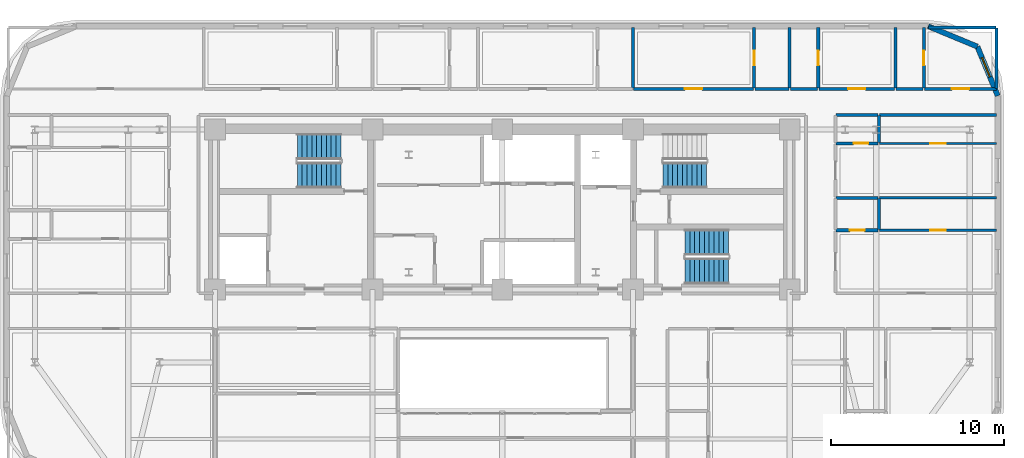
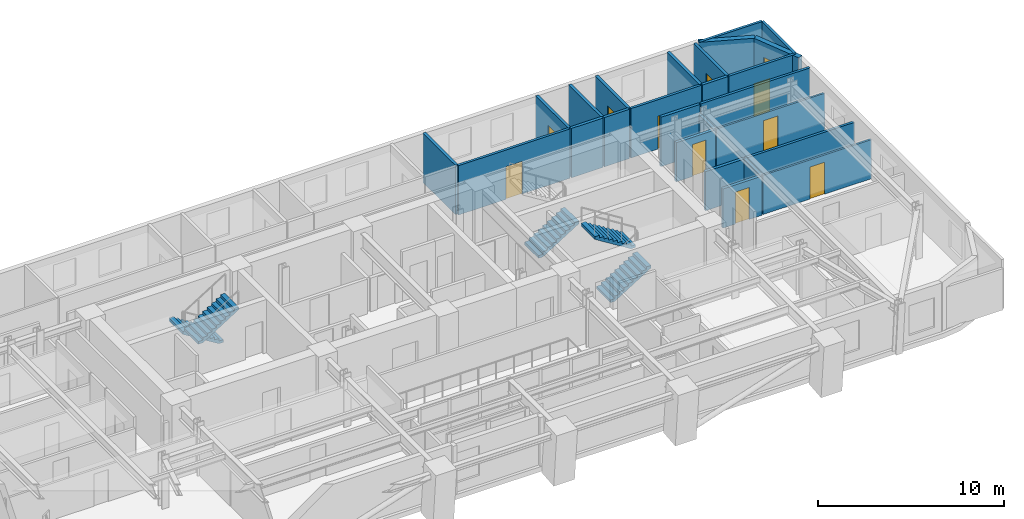
# One storey, part 12 of 16: 26 walls, 10 doors, 5 stair flights, 1 window, 11 openings, 3 elements without a shape of their own.
"""IFC4 building model written with IfcOpenShell, lengths in metres."""

from ifc_helpers import new_model, si_unit, direction, frame, frame_2d, origin, place, context, subcontext, project, spatial, polyline, rectangle, outline, extrude, material, layer, layer_set, type_object, element, fill, aggregate, save


model = new_model("IFC4")

# Units and contexts
model_context = context("Model", 3, precision=1e-05, world=origin(), true_north=direction((0.0, 1.0)))
body_context = subcontext(model_context, "Body", "Model", "MODEL_VIEW")
ifc_project = project(units=[si_unit("LENGTHUNIT", "METRE"), si_unit("AREAUNIT", "SQUARE_METRE"), si_unit("VOLUMEUNIT", "CUBIC_METRE"), si_unit("PLANEANGLEUNIT", "RADIAN"), si_unit("MASSUNIT", "GRAM", prefix="KILO")], contexts=[model_context])

# Site, building, storey
site_placement = place(None, origin())
site = spatial("IfcSite", under=ifc_project, at=site_placement, CompositionType="ELEMENT")
building_placement = place(site_placement, origin())
building = spatial("IfcBuilding", under=site, at=building_placement, Name="Zarnavel Station Tower", CompositionType="ELEMENT")
storey_placement = place(building_placement, frame((0.0, 0.0, 118.800048828125)))
storey = spatial("IfcBuildingStorey", under=building, at=storey_placement, Name="L32", CompositionType="ELEMENT", Elevation=118.800048828125)

# Wall, opening, window
ifc_material_1 = material(Name="Precast concrete C45/55 (Dark Basalt Finish)", Category="masonry")
ifc_layer_1 = layer(ifc_material_1, 0.300048828125)
ifc_layer_set_1 = layer_set([ifc_layer_1], Name="EW_BASALT_300")
wall_type_1 = type_object("IfcWallType", Name="EW_BASALT_300", PredefinedType="SOLIDWALL", material=ifc_layer_set_1)
wall_1_placement = place(storey_placement, frame((56.24267578125, 41.842529296875, 0.0), z_axis=(0.0, 0.0, 1.0), x_axis=(0.382636798336, -0.92389884758, 0.0)))
wall_1 = element("IfcWall", 1, at=wall_1_placement, inside=storey, type_object=wall_type_1, Name="L32 Exterior Basalt Masonry Frame Wall 04", PredefinedType="SOLIDWALL", context=body_context, shape_type="SweptSolid", body=[
    extrude(rectangle(XDim=3.07666015625, YDim=0.300048828125, at=frame_2d((1.538330078125, 0.0))), origin(), (0.0, 0.0, 1.0), 3.239990234375),
])
opening_1_placement = place(wall_1_placement, frame((0.69287109375, 0.0, 0.75)))
opening_1 = element("IfcOpeningElement", 2, at=opening_1_placement, cuts=wall_1, Name="Opening WN08", PredefinedType="OPENING", context=body_context, shape_type="SweptSolid", body=[
    extrude(rectangle(XDim=1.199951171875, YDim=1.5, at=frame_2d((0.60009765625, 0.75))), frame((0.0, 0.159912109375, 0.0), z_axis=(0.0, -1.0, 0.0), x_axis=(1.0, 0.0, 0.0)), (0.0, 0.0, 1.0), 0.320068359375),
])
ifc_material_2 = material(Name="Thermally Broken Black Aluminium and Low-E Dark Glass", Category="aluminium")
window_type = type_object("IfcWindowType", Name="WN_1200x1500", PartitioningType="SINGLE_PANEL", PredefinedType="WINDOW", material=ifc_material_2)
window_placement = place(opening_1_placement, origin())
window = element("IfcWindow", 3, at=window_placement, inside=storey, type_object=window_type, Name="L32 Recessed Facade Window 01", OverallHeight=1.5, OverallWidth=1.199951171875, PartitioningType="SINGLE_PANEL", PredefinedType="WINDOW", context=body_context, shape_type="SweptSolid", body=[
    extrude(rectangle(XDim=1.199951171875, YDim=1.5, at=frame_2d((0.60009765625, 0.75))), frame((0.0, 0.030029296875, 0.0), z_axis=(0.0, -1.0, 0.0), x_axis=(1.0, 0.0, 0.0)), (0.0, 0.0, 1.0), 0.06005859375),
])
fill(opening_1, window)

# Walls
wall_2_placement = place(storey_placement, frame((53.39990234375, 43.02001953125, 0.0), z_axis=(0.0, 0.0, 1.0), x_axis=(0.923882414032, -0.382676475685, 0.0)))
element("IfcWall", 4, at=wall_2_placement, inside=storey, type_object=wall_type_1, Name="L32 Exterior Basalt Masonry Frame Wall 05", PredefinedType="SOLIDWALL", context=body_context, shape_type="SweptSolid", body=[
    extrude(rectangle(XDim=3.076904296875, YDim=0.300048828125, at=frame_2d((1.53857421875, 0.0))), origin(), (0.0, 0.0, 1.0), 3.239990234375),
])
ifc_material_3 = material(Name="Gypsum Twin-Stud Acoustic Fire Partition", Category="concrete")
ifc_layer_2 = layer(ifc_material_3, 0.159912109375)
ifc_layer_set_2 = layer_set([ifc_layer_2], Name="PT_DEMISE_160")
wall_type_2 = type_object("IfcWallType", Name="PT_DEMISE_160", PredefinedType="PARTITIONING", material=ifc_layer_set_2)
wall_3_placement = place(storey_placement, frame((50.590087890625, 37.89990234375, 0.0), z_axis=(0.0, 0.0, 1.0), x_axis=(1.0, 0.0, 0.0)))
element("IfcWall", 5, at=wall_3_placement, inside=storey, type_object=wall_type_2, Name="L32 Partition COR-N-FNE2S", PredefinedType="PARTITIONING", context=body_context, shape_type="SweptSolid", body=[
    extrude(rectangle(XDim=6.75, YDim=0.159912109375, at=frame_2d((3.375, 0.0))), origin(), (0.0, 0.0, 1.0), 3.239990234375),
])

# Wall, opening, door
wall_4_placement = place(storey_placement, frame((36.389892578125, 39.39990234375, 0.0), z_axis=(0.0, 0.0, 1.0), x_axis=(1.0, 0.0, 0.0)))
wall_4 = element("IfcWall", 6, at=wall_4_placement, inside=storey, type_object=wall_type_2, Name="L32 Partition COR-N-HN4R", PredefinedType="PARTITIONING", context=body_context, shape_type="SweptSolid", body=[
    extrude(rectangle(XDim=6.920166015625, YDim=0.159912109375, at=frame_2d((3.4599609375, 0.0))), origin(), (0.0, 0.0, 1.0), 3.239990234375),
])
opening_2_placement = place(wall_4_placement, frame((2.9599609375, 0.0, 0.0)))
opening_2 = element("IfcOpeningElement", 7, at=opening_2_placement, cuts=wall_4, Name="Opening FD02", PredefinedType="OPENING", context=body_context, shape_type="SweptSolid", body=[
    extrude(rectangle(XDim=1.0, YDim=2.14990234375, at=frame_2d((0.5, 1.074951171875))), frame((0.0, 0.08984375, 0.0), z_axis=(0.0, -1.0, 0.0), x_axis=(1.0, 0.0, 0.0)), (0.0, 0.0, 1.0), 0.179931640625),
])
ifc_material_4 = material(Name="Painted Galvanised Steel and Hardwood Leaf", Category="steel")
door_type_1 = type_object("IfcDoorType", Name="ID_ENTRY_1000", OperationType="NOTDEFINED", PredefinedType="DOOR", material=ifc_material_4)
door_1_placement = place(opening_2_placement, origin())
door_1 = element("IfcDoor", 8, at=door_1_placement, inside=storey, type_object=door_type_1, Name="L32 Door COR-N-HN4R", OperationType="SINGLE_SWING_LEFT", OverallHeight=2.14990234375, OverallWidth=1.0, PredefinedType="DOOR", context=body_context, shape_type="SweptSolid", body=[
    extrude(rectangle(XDim=1.0, YDim=2.14990234375, at=frame_2d((0.5, 1.074951171875))), frame((0.0, 0.02490234375, 0.0), z_axis=(0.0, -1.0, 0.0), x_axis=(1.0, 0.0, 0.0)), (0.0, 0.0, 1.0), 0.050048828125),
])
fill(opening_2, door_1)

wall_5_placement = place(storey_placement, frame((47.090087890625, 39.39990234375, 0.0), z_axis=(0.0, 0.0, 1.0), x_axis=(1.0, 0.0, 0.0)))
wall_5 = element("IfcWall", 9, at=wall_5_placement, inside=storey, type_object=wall_type_2, Name="L32 Partition COR-N-HN5R", PredefinedType="PARTITIONING", context=body_context, shape_type="SweptSolid", body=[
    extrude(rectangle(XDim=4.3740234375, YDim=0.159912109375, at=frame_2d((2.18701171875, 0.0))), origin(), (0.0, 0.0, 1.0), 3.239990234375),
])
opening_3_placement = place(wall_5_placement, frame((1.68701171875, 0.0, 0.0)))
opening_3 = element("IfcOpeningElement", 10, at=opening_3_placement, cuts=wall_5, Name="Opening FD02", PredefinedType="OPENING", context=body_context, shape_type="SweptSolid", body=[
    extrude(rectangle(XDim=1.0, YDim=2.14990234375, at=frame_2d((0.5, 1.074951171875))), frame((0.0, 0.08984375, 0.0), z_axis=(0.0, -1.0, 0.0), x_axis=(1.0, 0.0, 0.0)), (0.0, 0.0, 1.0), 0.179931640625),
])
door_2_placement = place(opening_3_placement, origin())
door_2 = element("IfcDoor", 11, at=door_2_placement, inside=storey, type_object=door_type_1, Name="L32 Door COR-N-HN5R", OperationType="SINGLE_SWING_RIGHT", OverallHeight=2.14990234375, OverallWidth=1.0, PredefinedType="DOOR", context=body_context, shape_type="SweptSolid", body=[
    extrude(rectangle(XDim=1.0, YDim=2.14990234375, at=frame_2d((0.5, 1.074951171875))), frame((0.0, 0.02490234375, 0.0), z_axis=(0.0, -1.0, 0.0), x_axis=(1.0, 0.0, 0.0)), (0.0, 0.0, 1.0), 0.050048828125),
])
fill(opening_3, door_2)

wall_6_placement = place(storey_placement, frame((53.194091796875, 39.39990234375, 0.0), z_axis=(0.0, 0.0, 1.0), x_axis=(1.0, 0.0, 0.0)))
wall_6 = element("IfcWall", 12, at=wall_6_placement, inside=storey, type_object=wall_type_2, Name="L32 Partition COR-N-HN6R", PredefinedType="PARTITIONING", context=body_context, shape_type="SweptSolid", body=[
    extrude(rectangle(XDim=4.14599609375, YDim=0.159912109375, at=frame_2d((2.072998046875, 0.0))), origin(), (0.0, 0.0, 1.0), 3.239990234375),
])
opening_4_placement = place(wall_6_placement, frame((1.572998046875, 0.0, 0.0)))
opening_4 = element("IfcOpeningElement", 13, at=opening_4_placement, cuts=wall_6, Name="Opening FD02", PredefinedType="OPENING", context=body_context, shape_type="SweptSolid", body=[
    extrude(rectangle(XDim=1.0, YDim=2.14990234375, at=frame_2d((0.5, 1.074951171875))), frame((0.0, 0.08984375, 0.0), z_axis=(0.0, -1.0, 0.0), x_axis=(1.0, 0.0, 0.0)), (0.0, 0.0, 1.0), 0.179931640625),
])
door_3_placement = place(opening_4_placement, origin())
door_3 = element("IfcDoor", 14, at=door_3_placement, inside=storey, type_object=door_type_1, Name="L32 Door COR-N-HN6R", OperationType="SINGLE_SWING_LEFT", OverallHeight=2.14990234375, OverallWidth=1.0, PredefinedType="DOOR", context=body_context, shape_type="SweptSolid", body=[
    extrude(rectangle(XDim=1.0, YDim=2.14990234375, at=frame_2d((0.5, 1.074951171875))), frame((0.0, 0.02490234375, 0.0), z_axis=(0.0, -1.0, 0.0), x_axis=(1.0, 0.0, 0.0)), (0.0, 0.0, 1.0), 0.050048828125),
])
fill(opening_4, door_3)

# Walls
wall_7_placement = place(storey_placement, frame((50.590087890625, 33.10888671875, 0.0), z_axis=(0.0, 0.0, 1.0), x_axis=(1.0, 0.0, 0.0)))
element("IfcWall", 15, at=wall_7_placement, inside=storey, type_object=wall_type_2, Name="L32 Partition FNE1S-FNE2R", PredefinedType="PARTITIONING", context=body_context, shape_type="SweptSolid", body=[
    extrude(rectangle(XDim=6.75, YDim=0.159912109375, at=frame_2d((3.375, 0.0))), origin(), (0.0, 0.0, 1.0), 2.570068359375),
])
wall_8_placement = place(storey_placement, frame((53.429931640625, 42.93994140625, 0.0), z_axis=(0.0, 0.0, 1.0), x_axis=(1.0, 0.0, 0.0)))
element("IfcWall", 16, at=wall_8_placement, inside=storey, type_object=wall_type_2, Name="L32 Enclosure Wall HN6R", PredefinedType="PARTITIONING", context=body_context, shape_type="SweptSolid", body=[
    extrude(rectangle(XDim=3.880126953125, YDim=0.159912109375, at=frame_2d((1.93994140625, 0.0))), origin(), (0.0, 0.0, 1.0), 3.239990234375),
])
wall_9_placement = place(storey_placement, frame((57.340087890625, 39.429931640625, 0.0), z_axis=(0.0, 0.0, 1.0), x_axis=(0.0, 1.0, 0.0)))
element("IfcWall", 17, at=wall_9_placement, inside=storey, type_object=wall_type_2, Name="L32 Enclosure Wall HN6R", PredefinedType="PARTITIONING", context=body_context, shape_type="SweptSolid", body=[
    extrude(rectangle(XDim=3.47998046875, YDim=0.159912109375, at=frame_2d((1.739990234375, 0.0))), origin(), (0.0, 0.0, 1.0), 3.239990234375),
])

# Wall, opening, door
ifc_material_5 = material(Name="Gypsum Metal-Stud Interior Partition", Category="concrete")
ifc_layer_3 = layer(ifc_material_5, 0.1201171875)
ifc_layer_set_3 = layer_set([ifc_layer_3], Name="PT_ROOM_120")
wall_type_3 = type_object("IfcWallType", Name="PT_ROOM_120", PredefinedType="PARTITIONING", material=ifc_layer_set_3)
wall_10_placement = place(storey_placement, frame((50.590087890625, 31.236083984375, 0.0), z_axis=(0.0, 0.0, 1.0), x_axis=(1.0, 0.0, 0.0)))
wall_10 = element("IfcWall", 18, at=wall_10_placement, inside=storey, type_object=wall_type_3, Name="L32 Partition FNE1R-FNE1S", PredefinedType="PARTITIONING", context=body_context, shape_type="SweptSolid", body=[
    extrude(rectangle(XDim=6.75, YDim=0.1201171875, at=frame_2d((3.375, 0.0))), origin(), (0.0, 0.0, 1.0), 2.570068359375),
])
opening_5_placement = place(wall_10_placement, frame((2.925048828125, 0.0, 0.0)))
opening_5 = element("IfcOpeningElement", 19, at=opening_5_placement, cuts=wall_10, Name="Opening ID01", PredefinedType="OPENING", context=body_context, shape_type="SweptSolid", body=[
    extrude(rectangle(XDim=0.89990234375, YDim=2.10009765625, at=frame_2d((0.449951171875, 1.050048828125))), frame((0.0, 0.070068359375, 0.0), z_axis=(0.0, -1.0, 0.0), x_axis=(1.0, 0.0, 0.0)), (0.0, 0.0, 1.0), 0.14013671875),
])
ifc_material_6 = material(Name="Painted Galvanised Steel and Hardwood Leaf", Category="steel")
door_type_2 = type_object("IfcDoorType", Name="ID_ROOM_900", OperationType="NOTDEFINED", PredefinedType="DOOR", material=ifc_material_6)
door_4_placement = place(opening_5_placement, origin())
door_4 = element("IfcDoor", 20, at=door_4_placement, inside=storey, type_object=door_type_2, Name="L32 Door FNE1R-FNE1S", OperationType="SINGLE_SWING_RIGHT", OverallHeight=2.10009765625, OverallWidth=0.89990234375, PredefinedType="DOOR", context=body_context, shape_type="SweptSolid", body=[
    extrude(rectangle(XDim=0.89990234375, YDim=2.10009765625, at=frame_2d((0.449951171875, 1.050048828125))), frame((0.0, 0.02490234375, 0.0), z_axis=(0.0, -1.0, 0.0), x_axis=(1.0, 0.0, 0.0)), (0.0, 0.0, 1.0), 0.050048828125),
])
fill(opening_5, door_4)

wall_11_placement = place(storey_placement, frame((50.590087890625, 36.25, 0.0), z_axis=(0.0, 0.0, 1.0), x_axis=(1.0, 0.0, 0.0)))
wall_11 = element("IfcWall", 21, at=wall_11_placement, inside=storey, type_object=wall_type_3, Name="L32 Partition FNE2R-FNE2S", PredefinedType="PARTITIONING", context=body_context, shape_type="SweptSolid", body=[
    extrude(rectangle(XDim=6.75, YDim=0.1201171875, at=frame_2d((3.375, 0.0))), origin(), (0.0, 0.0, 1.0), 2.570068359375),
])
opening_6_placement = place(wall_11_placement, frame((2.925048828125, 0.0, 0.0)))
opening_6 = element("IfcOpeningElement", 22, at=opening_6_placement, cuts=wall_11, Name="Opening ID01", PredefinedType="OPENING", context=body_context, shape_type="SweptSolid", body=[
    extrude(rectangle(XDim=0.89990234375, YDim=2.10009765625, at=frame_2d((0.449951171875, 1.050048828125))), frame((0.0, 0.070068359375, 0.0), z_axis=(0.0, -1.0, 0.0), x_axis=(1.0, 0.0, 0.0)), (0.0, 0.0, 1.0), 0.14013671875),
])
door_5_placement = place(opening_6_placement, origin())
door_5 = element("IfcDoor", 23, at=door_5_placement, inside=storey, type_object=door_type_2, Name="L32 Door FNE2R-FNE2S", OperationType="SINGLE_SWING_RIGHT", OverallHeight=2.10009765625, OverallWidth=0.89990234375, PredefinedType="DOOR", context=body_context, shape_type="SweptSolid", body=[
    extrude(rectangle(XDim=0.89990234375, YDim=2.10009765625, at=frame_2d((0.449951171875, 1.050048828125))), frame((0.0, 0.02490234375, 0.0), z_axis=(0.0, -1.0, 0.0), x_axis=(1.0, 0.0, 0.0)), (0.0, 0.0, 1.0), 0.050048828125),
])
fill(opening_6, door_5)

# Walls
ifc_material_7 = material(Name="Moisture-Resistant Plumbing Chase Wall", Category="concrete")
ifc_layer_4 = layer(ifc_material_7, 0.179931640625)
ifc_layer_set_4 = layer_set([ifc_layer_4], Name="PW_PLUMB_180")
wall_type_4 = type_object("IfcWallType", Name="PW_PLUMB_180", PredefinedType="PLUMBINGWALL", material=ifc_layer_set_4)
wall_12_placement = place(storey_placement, frame((48.090087890625, 37.89990234375, 0.0), z_axis=(0.0, 0.0, 1.0), x_axis=(1.0, 0.0, 0.0)))
element("IfcWall", 24, at=wall_12_placement, inside=storey, type_object=wall_type_4, Name="L32 Partition COR-N-FNE2B", PredefinedType="PLUMBINGWALL", context=body_context, shape_type="SweptSolid", body=[
    extrude(rectangle(XDim=2.419921875, YDim=0.179931640625, at=frame_2d((1.2099609375, 0.0))), origin(), (0.0, 0.0, 1.0), 3.239990234375),
])
wall_13_placement = place(storey_placement, frame((43.389892578125, 39.39990234375, 0.0), z_axis=(0.0, 0.0, 1.0), x_axis=(1.0, 0.0, 0.0)))
element("IfcWall", 25, at=wall_13_placement, inside=storey, type_object=wall_type_4, Name="L32 Partition COR-N-HN4B", PredefinedType="PLUMBINGWALL", context=body_context, shape_type="SweptSolid", body=[
    extrude(rectangle(XDim=1.97021484375, YDim=0.179931640625, at=frame_2d((0.985107421875, 0.0))), origin(), (0.0, 0.0, 1.0), 3.239990234375),
])
for number, where, z_axis, x_axis, name in (
    (26, (45.43994140625, 39.39990234375, 0.0), (0.0, 0.0, 1.0), (1.0, 0.0, 0.0), "L32 Partition COR-N-HN5B"),
    (27, (51.5439453125, 39.39990234375, 0.0), (0.0, 0.0, 1.0), (1.0, 0.0, 0.0), "L32 Partition COR-N-HN6B"),
):
    element("IfcWall", number, at=place(storey_placement, frame(where, z_axis=z_axis, x_axis=x_axis)), inside=storey, type_object=wall_type_4, Name=name, PredefinedType="PLUMBINGWALL", context=body_context, shape_type="SweptSolid", body=[
        extrude(rectangle(XDim=1.570068359375, YDim=0.179931640625, at=frame_2d((0.78515625, 0.0))), origin(), (0.0, 0.0, 1.0), 3.239990234375),
    ])

# Wall, opening, door
wall_14_placement = place(storey_placement, frame((48.090087890625, 31.236083984375, 0.0), z_axis=(0.0, 0.0, 1.0), x_axis=(1.0, 0.0, 0.0)))
wall_14 = element("IfcWall", 28, at=wall_14_placement, inside=storey, type_object=wall_type_4, Name="L32 Partition FNE1R-FNE1B", PredefinedType="PLUMBINGWALL", context=body_context, shape_type="SweptSolid", body=[
    extrude(rectangle(XDim=2.419921875, YDim=0.179931640625, at=frame_2d((1.2099609375, 0.0))), origin(), (0.0, 0.0, 1.0), 2.570068359375),
])
opening_7_placement = place(wall_14_placement, frame((0.784912109375, 0.0, 0.0)))
opening_7 = element("IfcOpeningElement", 29, at=opening_7_placement, cuts=wall_14, Name="Opening ID02", PredefinedType="OPENING", context=body_context, shape_type="SweptSolid", body=[
    extrude(rectangle(XDim=0.85009765625, YDim=2.10009765625, at=frame_2d((0.425048828125, 1.050048828125))), frame((0.0, 0.099853515625, 0.0), z_axis=(0.0, -1.0, 0.0), x_axis=(1.0, 0.0, 0.0)), (0.0, 0.0, 1.0), 0.199951171875),
])
ifc_material_8 = material(Name="Painted Galvanised Steel and Hardwood Leaf", Category="steel")
door_type_3 = type_object("IfcDoorType", Name="ID_BATH_850", OperationType="NOTDEFINED", PredefinedType="DOOR", material=ifc_material_8)
door_6_placement = place(opening_7_placement, origin())
door_6 = element("IfcDoor", 30, at=door_6_placement, inside=storey, type_object=door_type_3, Name="L32 Door FNE1R-FNE1B", OperationType="SINGLE_SWING_LEFT", OverallHeight=2.10009765625, OverallWidth=0.85009765625, PredefinedType="DOOR", context=body_context, shape_type="SweptSolid", body=[
    extrude(rectangle(XDim=0.85009765625, YDim=2.10009765625, at=frame_2d((0.425048828125, 1.050048828125))), frame((0.0, 0.02490234375, 0.0), z_axis=(0.0, -1.0, 0.0), x_axis=(1.0, 0.0, 0.0)), (0.0, 0.0, 1.0), 0.050048828125),
])
fill(opening_7, door_6)

# Walls
wall_15_placement = place(storey_placement, frame((50.550048828125, 31.27587890625, 0.0), z_axis=(0.0, 0.0, 1.0), x_axis=(0.0, 1.0, 0.0)))
element("IfcWall", 31, at=wall_15_placement, inside=storey, type_object=wall_type_4, Name="L32 Partition FNE1B-FNE1S", PredefinedType="PLUMBINGWALL", context=body_context, shape_type="SweptSolid", body=[
    extrude(rectangle(XDim=1.793212890625, YDim=0.179931640625, at=frame_2d((0.896484375, 0.0))), origin(), (0.0, 0.0, 1.0), 2.570068359375),
])
wall_16_placement = place(storey_placement, frame((48.090087890625, 33.10888671875, 0.0), z_axis=(0.0, 0.0, 1.0), x_axis=(1.0, 0.0, 0.0)))
element("IfcWall", 32, at=wall_16_placement, inside=storey, type_object=wall_type_4, Name="L32 Partition FNE1B-FNE2R", PredefinedType="PLUMBINGWALL", context=body_context, shape_type="SweptSolid", body=[
    extrude(rectangle(XDim=2.419921875, YDim=0.179931640625, at=frame_2d((1.2099609375, 0.0))), origin(), (0.0, 0.0, 1.0), 2.570068359375),
])

# Wall, opening, door
wall_17_placement = place(storey_placement, frame((50.510009765625, 36.25, 0.0), z_axis=(0.0, 0.0, 1.0), x_axis=(-1.0, 0.0, 0.0)))
wall_17 = element("IfcWall", 33, at=wall_17_placement, inside=storey, type_object=wall_type_4, Name="L32 Partition FNE2R-FNE2B", PredefinedType="PLUMBINGWALL", context=body_context, shape_type="SweptSolid", body=[
    extrude(rectangle(XDim=2.419921875, YDim=0.179931640625, at=frame_2d((1.2099609375, 0.0))), origin(), (0.0, 0.0, 1.0), 2.570068359375),
])
opening_8_placement = place(wall_17_placement, frame((0.570068359375, 0.0, 0.0)))
opening_8 = element("IfcOpeningElement", 34, at=opening_8_placement, cuts=wall_17, Name="Opening ID02", PredefinedType="OPENING", context=body_context, shape_type="SweptSolid", body=[
    extrude(rectangle(XDim=0.85009765625, YDim=2.10009765625, at=frame_2d((0.425048828125, 1.050048828125))), frame((0.0, 0.099853515625, 0.0), z_axis=(0.0, -1.0, 0.0), x_axis=(1.0, 0.0, 0.0)), (0.0, 0.0, 1.0), 0.199951171875),
])
door_7_placement = place(opening_8_placement, origin())
door_7 = element("IfcDoor", 35, at=door_7_placement, inside=storey, type_object=door_type_3, Name="L32 Door FNE2R-FNE2B", OperationType="SINGLE_SWING_LEFT", OverallHeight=2.10009765625, OverallWidth=0.85009765625, PredefinedType="DOOR", context=body_context, shape_type="SweptSolid", body=[
    extrude(rectangle(XDim=0.85009765625, YDim=2.10009765625, at=frame_2d((0.425048828125, 1.050048828125))), frame((0.0, 0.02490234375, 0.0), z_axis=(0.0, -1.0, 0.0), x_axis=(1.0, 0.0, 0.0)), (0.0, 0.0, 1.0), 0.050048828125),
])
fill(opening_8, door_7)

# Walls
wall_18_placement = place(storey_placement, frame((50.550048828125, 36.2900390625, 0.0), z_axis=(0.0, 0.0, 1.0), x_axis=(0.0, 1.0, 0.0)))
element("IfcWall", 36, at=wall_18_placement, inside=storey, type_object=wall_type_4, Name="L32 Partition FNE2B-FNE2S", PredefinedType="PLUMBINGWALL", context=body_context, shape_type="SweptSolid", body=[
    extrude(rectangle(XDim=1.570068359375, YDim=0.179931640625, at=frame_2d((0.78515625, 0.0))), origin(), (0.0, 0.0, 1.0), 2.570068359375),
])
wall_19_placement = place(storey_placement, frame((36.35009765625, 39.43994140625, 0.0), z_axis=(0.0, 0.0, 1.0), x_axis=(0.0, 1.0, 0.0)))
element("IfcWall", 37, at=wall_19_placement, inside=storey, type_object=wall_type_4, Name="L32 Partition HN3B-HN4R", PredefinedType="PLUMBINGWALL", context=body_context, shape_type="SweptSolid", body=[
    extrude(rectangle(XDim=3.5, YDim=0.179931640625, at=frame_2d((1.75, 0.0))), origin(), (0.0, 0.0, 1.0), 3.239990234375),
])

# Wall, opening, door
wall_20_placement = place(storey_placement, frame((43.35009765625, 39.43994140625, 0.0), z_axis=(0.0, 0.0, 1.0), x_axis=(0.0, 1.0, 0.0)))
wall_20 = element("IfcWall", 38, at=wall_20_placement, inside=storey, type_object=wall_type_4, Name="L32 Partition HN4R-HN4B", PredefinedType="PLUMBINGWALL", context=body_context, shape_type="SweptSolid", body=[
    extrude(rectangle(XDim=3.5, YDim=0.179931640625, at=frame_2d((1.75, 0.0))), origin(), (0.0, 0.0, 1.0), 3.239990234375),
])
opening_9_placement = place(wall_20_placement, frame((1.324951171875, 0.0, 0.0)))
opening_9 = element("IfcOpeningElement", 39, at=opening_9_placement, cuts=wall_20, Name="Opening ID02", PredefinedType="OPENING", context=body_context, shape_type="SweptSolid", body=[
    extrude(rectangle(XDim=0.85009765625, YDim=2.10009765625, at=frame_2d((0.425048828125, 1.050048828125))), frame((0.0, 0.099853515625, 0.0), z_axis=(0.0, -1.0, 0.0), x_axis=(1.0, 0.0, 0.0)), (0.0, 0.0, 1.0), 0.199951171875),
])
door_8_placement = place(opening_9_placement, origin())
door_8 = element("IfcDoor", 40, at=door_8_placement, inside=storey, type_object=door_type_3, Name="L32 Door HN4R-HN4B", OperationType="SINGLE_SWING_RIGHT", OverallHeight=2.10009765625, OverallWidth=0.85009765625, PredefinedType="DOOR", context=body_context, shape_type="SweptSolid", body=[
    extrude(rectangle(XDim=0.85009765625, YDim=2.10009765625, at=frame_2d((0.425048828125, 1.050048828125))), frame((0.0, 0.02490234375, 0.0), z_axis=(0.0, -1.0, 0.0), x_axis=(1.0, 0.0, 0.0)), (0.0, 0.0, 1.0), 0.050048828125),
])
fill(opening_9, door_8)

# Wall
wall_21_placement = place(storey_placement, frame((45.39990234375, 39.43994140625, 0.0), z_axis=(0.0, 0.0, 1.0), x_axis=(0.0, 1.0, 0.0)))
element("IfcWall", 41, at=wall_21_placement, inside=storey, type_object=wall_type_4, Name="L32 Partition HN4B-HN5B", PredefinedType="PLUMBINGWALL", context=body_context, shape_type="SweptSolid", body=[
    extrude(rectangle(XDim=3.5, YDim=0.179931640625, at=frame_2d((1.75, 0.0))), origin(), (0.0, 0.0, 1.0), 3.239990234375),
])

# Wall, opening, door
wall_22_placement = place(storey_placement, frame((47.050048828125, 39.43994140625, 0.0), z_axis=(0.0, 0.0, 1.0), x_axis=(0.0, 1.0, 0.0)))
wall_22 = element("IfcWall", 42, at=wall_22_placement, inside=storey, type_object=wall_type_4, Name="L32 Partition HN5R-HN5B", PredefinedType="PLUMBINGWALL", context=body_context, shape_type="SweptSolid", body=[
    extrude(rectangle(XDim=3.5, YDim=0.179931640625, at=frame_2d((1.75, 0.0))), origin(), (0.0, 0.0, 1.0), 3.239990234375),
])
opening_10_placement = place(wall_22_placement, frame((1.324951171875, 0.0, 0.0)))
opening_10 = element("IfcOpeningElement", 43, at=opening_10_placement, cuts=wall_22, Name="Opening ID02", PredefinedType="OPENING", context=body_context, shape_type="SweptSolid", body=[
    extrude(rectangle(XDim=0.85009765625, YDim=2.10009765625, at=frame_2d((0.425048828125, 1.050048828125))), frame((0.0, 0.099853515625, 0.0), z_axis=(0.0, -1.0, 0.0), x_axis=(1.0, 0.0, 0.0)), (0.0, 0.0, 1.0), 0.199951171875),
])
door_9_placement = place(opening_10_placement, origin())
door_9 = element("IfcDoor", 44, at=door_9_placement, inside=storey, type_object=door_type_3, Name="L32 Door HN5R-HN5B", OperationType="SINGLE_SWING_LEFT", OverallHeight=2.10009765625, OverallWidth=0.85009765625, PredefinedType="DOOR", context=body_context, shape_type="SweptSolid", body=[
    extrude(rectangle(XDim=0.85009765625, YDim=2.10009765625, at=frame_2d((0.425048828125, 1.050048828125))), frame((0.0, 0.02490234375, 0.0), z_axis=(0.0, -1.0, 0.0), x_axis=(1.0, 0.0, 0.0)), (0.0, 0.0, 1.0), 0.050048828125),
])
fill(opening_10, door_9)

# Wall
wall_23_placement = place(storey_placement, frame((51.50390625, 39.43994140625, 0.0), z_axis=(0.0, 0.0, 1.0), x_axis=(0.0, 1.0, 0.0)))
element("IfcWall", 45, at=wall_23_placement, inside=storey, type_object=wall_type_4, Name="L32 Partition HN5R-HN6B", PredefinedType="PLUMBINGWALL", context=body_context, shape_type="SweptSolid", body=[
    extrude(rectangle(XDim=3.5, YDim=0.179931640625, at=frame_2d((1.75, 0.0))), origin(), (0.0, 0.0, 1.0), 3.239990234375),
])

# Wall, opening, door
wall_24_placement = place(storey_placement, frame((53.154052734375, 39.43994140625, 0.0), z_axis=(0.0, 0.0, 1.0), x_axis=(0.0, 1.0, 0.0)))
wall_24 = element("IfcWall", 46, at=wall_24_placement, inside=storey, type_object=wall_type_4, Name="L32 Partition HN6R-HN6B", PredefinedType="PLUMBINGWALL", context=body_context, shape_type="SweptSolid", body=[
    extrude(rectangle(XDim=3.5, YDim=0.179931640625, at=frame_2d((1.75, 0.0))), origin(), (0.0, 0.0, 1.0), 3.239990234375),
])
opening_11_placement = place(wall_24_placement, frame((1.324951171875, 0.0, 0.0)))
opening_11 = element("IfcOpeningElement", 47, at=opening_11_placement, cuts=wall_24, Name="Opening ID02", PredefinedType="OPENING", context=body_context, shape_type="SweptSolid", body=[
    extrude(rectangle(XDim=0.85009765625, YDim=2.10009765625, at=frame_2d((0.425048828125, 1.050048828125))), frame((0.0, 0.099853515625, 0.0), z_axis=(0.0, -1.0, 0.0), x_axis=(1.0, 0.0, 0.0)), (0.0, 0.0, 1.0), 0.199951171875),
])
door_10_placement = place(opening_11_placement, origin())
door_10 = element("IfcDoor", 48, at=door_10_placement, inside=storey, type_object=door_type_3, Name="L32 Door HN6R-HN6B", OperationType="SINGLE_SWING_RIGHT", OverallHeight=2.10009765625, OverallWidth=0.85009765625, PredefinedType="DOOR", context=body_context, shape_type="SweptSolid", body=[
    extrude(rectangle(XDim=0.85009765625, YDim=2.10009765625, at=frame_2d((0.425048828125, 1.050048828125))), frame((0.0, 0.02490234375, 0.0), z_axis=(0.0, -1.0, 0.0), x_axis=(1.0, 0.0, 0.0)), (0.0, 0.0, 1.0), 0.050048828125),
])
fill(opening_11, door_10)

# Stair, stair flights
ifc_material_9 = material(Name="Concrete C45/55", Category="concrete")
stair_type = type_object("IfcStairType", Name="ST_CORE_150", PredefinedType="HALF_TURN_STAIR", material=ifc_material_9)
stair_1_placement = place(storey_placement, origin())
stair_1 = element("IfcStair", 49, at=stair_1_placement, inside=storey, type_object=stair_type, Name="L32 Core Exit Stair ST1", PredefinedType="HALF_TURN_STAIR")
ifc_material_10 = material(Name="Concrete C45/55", Category="concrete")
ifc_layer_5 = layer(ifc_material_10, 0.179931640625)
ifc_layer_set_5 = layer_set([ifc_layer_5], Name="ST_CORE_150_FLT")
stair_flight_type = type_object("IfcStairFlightType", Name="ST_CORE_150_FLT", PredefinedType="STRAIGHT", material=ifc_layer_set_5)
stair_flight_1_placement = place(storey_placement, frame((19.47998046875, 36.070068359375, 0.0), z_axis=(0.0, 0.0, 1.0), x_axis=(-1.0, 0.0, 0.0)))
stair_flight_1 = element("IfcStairFlight", 50, at=stair_flight_1_placement, type_object=stair_flight_type, Name="ST1 flight 1", NumberOfRisers=10, NumberOfTreads=9, PredefinedType="STRAIGHT", RiserHeight=0.175, TreadLength=0.28, context=body_context, shape_type="SweptSolid", body=[
    extrude(outline(polyline([(0.0, 0.0), (0.0, 0.175048828125), (0.280029296875, 0.175048828125), (0.280029296875, 0.35009765625), (0.56005859375, 0.35009765625), (0.56005859375, 0.52490234375), (0.840087890625, 0.52490234375), (0.840087890625, 0.699951171875), (1.1201171875, 0.699951171875), (1.1201171875, 0.875), (1.39990234375, 0.875), (1.39990234375, 1.050048828125), (1.679931640625, 1.050048828125), (1.679931640625, 1.22509765625), (1.9599609375, 1.22509765625), (1.9599609375, 1.39990234375), (2.239990234375, 1.39990234375), (2.239990234375, 1.574951171875), (2.52001953125, 1.574951171875), (2.52001953125, 1.75), (2.52001953125, 1.398193359375), (0.28271484375, 0.0), (0.0, 0.0)])), frame((0.0, 0.75, 0.0), z_axis=(0.0, -1.0, 0.0), x_axis=(1.0, 0.0, 0.0)), (0.0, 0.0, 1.0), 1.5),
])
stair_flight_2_placement = place(storey_placement, frame((16.9599609375, 34.409912109375, 1.75), z_axis=(0.0, 0.0, 1.0), x_axis=(1.0, 0.0, 0.0)))
stair_flight_2 = element("IfcStairFlight", 51, at=stair_flight_2_placement, type_object=stair_flight_type, Name="ST1 flight 2", NumberOfRisers=10, NumberOfTreads=9, PredefinedType="STRAIGHT", RiserHeight=0.175, TreadLength=0.28, context=body_context, shape_type="SweptSolid", body=[
    extrude(outline(polyline([(0.0, 0.0), (0.0, 0.175048828125), (0.280029296875, 0.175048828125), (0.280029296875, 0.35009765625), (0.56005859375, 0.35009765625), (0.56005859375, 0.52490234375), (0.840087890625, 0.52490234375), (0.840087890625, 0.699951171875), (1.1201171875, 0.699951171875), (1.1201171875, 0.875), (1.39990234375, 0.875), (1.39990234375, 1.050048828125), (1.679931640625, 1.050048828125), (1.679931640625, 1.22509765625), (1.9599609375, 1.22509765625), (1.9599609375, 1.39990234375), (2.239990234375, 1.39990234375), (2.239990234375, 1.574951171875), (2.52001953125, 1.574951171875), (2.52001953125, 1.75), (2.52001953125, 1.398193359375), (0.28271484375, 0.0), (0.0, 0.0)])), frame((0.0, 0.75, 0.0), z_axis=(0.0, -1.0, 0.0), x_axis=(1.0, 0.0, 0.0)), (0.0, 0.0, 1.0), 1.5),
])
aggregate(stair_1, [stair_flight_1, stair_flight_2])

# Stair, stair flight
stair_2_placement = place(storey_placement, origin())
stair_2 = element("IfcStair", 52, at=stair_2_placement, inside=storey, type_object=stair_type, Name="L32 Core Exit Stair ST2", PredefinedType="HALF_TURN_STAIR")
stair_flight_3_placement = place(storey_placement, frame((38.080078125, 34.409912109375, 0.0), z_axis=(0.0, 0.0, 1.0), x_axis=(1.0, 0.0, 0.0)))
stair_flight_3 = element("IfcStairFlight", 53, at=stair_flight_3_placement, type_object=stair_flight_type, Name="ST2 flight 1", NumberOfRisers=10, NumberOfTreads=9, PredefinedType="STRAIGHT", RiserHeight=0.175, TreadLength=0.28, context=body_context, shape_type="SweptSolid", body=[
    extrude(outline(polyline([(0.0, 0.0), (0.0, 0.175048828125), (0.280029296875, 0.175048828125), (0.280029296875, 0.35009765625), (0.56005859375, 0.35009765625), (0.56005859375, 0.52490234375), (0.840087890625, 0.52490234375), (0.840087890625, 0.699951171875), (1.1201171875, 0.699951171875), (1.1201171875, 0.875), (1.39990234375, 0.875), (1.39990234375, 1.050048828125), (1.679931640625, 1.050048828125), (1.679931640625, 1.22509765625), (1.9599609375, 1.22509765625), (1.9599609375, 1.39990234375), (2.239990234375, 1.39990234375), (2.239990234375, 1.574951171875), (2.52001953125, 1.574951171875), (2.52001953125, 1.75), (2.52001953125, 1.398193359375), (0.28271484375, 0.0), (0.0, 0.0)])), frame((0.0, 0.75, 0.0), z_axis=(0.0, -1.0, 0.0), x_axis=(1.0, 0.0, 0.0)), (0.0, 0.0, 1.0), 1.5),
])
aggregate(stair_2, [stair_flight_3])

# Stair, stair flights
stair_3_placement = place(storey_placement, origin())
stair_3 = element("IfcStair", 54, at=stair_3_placement, inside=storey, type_object=stair_type, Name="L32 Core Exit Stair ST3", PredefinedType="HALF_TURN_STAIR")
stair_flight_4_placement = place(storey_placement, frame((39.35009765625, 28.8701171875, 0.0), z_axis=(0.0, 0.0, 1.0), x_axis=(1.0, 0.0, 0.0)))
stair_flight_4 = element("IfcStairFlight", 55, at=stair_flight_4_placement, type_object=stair_flight_type, Name="ST3 flight 1", NumberOfRisers=10, NumberOfTreads=9, PredefinedType="STRAIGHT", RiserHeight=0.175, TreadLength=0.28, context=body_context, shape_type="SweptSolid", body=[
    extrude(outline(polyline([(0.0, 0.0), (0.0, 0.175048828125), (0.280029296875, 0.175048828125), (0.280029296875, 0.35009765625), (0.56005859375, 0.35009765625), (0.56005859375, 0.52490234375), (0.840087890625, 0.52490234375), (0.840087890625, 0.699951171875), (1.1201171875, 0.699951171875), (1.1201171875, 0.875), (1.39990234375, 0.875), (1.39990234375, 1.050048828125), (1.679931640625, 1.050048828125), (1.679931640625, 1.22509765625), (1.9599609375, 1.22509765625), (1.9599609375, 1.39990234375), (2.239990234375, 1.39990234375), (2.239990234375, 1.574951171875), (2.52001953125, 1.574951171875), (2.52001953125, 1.75), (2.52001953125, 1.398193359375), (0.28271484375, 0.0), (0.0, 0.0)])), frame((0.0, 0.75, 0.0), z_axis=(0.0, -1.0, 0.0), x_axis=(1.0, 0.0, 0.0)), (0.0, 0.0, 1.0), 1.5),
])
stair_flight_5_placement = place(storey_placement, frame((41.8701171875, 30.530029296875, 1.75), z_axis=(0.0, 0.0, 1.0), x_axis=(-1.0, 0.0, 0.0)))
stair_flight_5 = element("IfcStairFlight", 56, at=stair_flight_5_placement, type_object=stair_flight_type, Name="ST3 flight 2", NumberOfRisers=10, NumberOfTreads=9, PredefinedType="STRAIGHT", RiserHeight=0.175, TreadLength=0.28, context=body_context, shape_type="SweptSolid", body=[
    extrude(outline(polyline([(0.0, 0.0), (0.0, 0.175048828125), (0.280029296875, 0.175048828125), (0.280029296875, 0.35009765625), (0.56005859375, 0.35009765625), (0.56005859375, 0.52490234375), (0.840087890625, 0.52490234375), (0.840087890625, 0.699951171875), (1.1201171875, 0.699951171875), (1.1201171875, 0.875), (1.39990234375, 0.875), (1.39990234375, 1.050048828125), (1.679931640625, 1.050048828125), (1.679931640625, 1.22509765625), (1.9599609375, 1.22509765625), (1.9599609375, 1.39990234375), (2.239990234375, 1.39990234375), (2.239990234375, 1.574951171875), (2.52001953125, 1.574951171875), (2.52001953125, 1.75), (2.52001953125, 1.398193359375), (0.28271484375, 0.0), (0.0, 0.0)])), frame((0.0, 0.75, 0.0), z_axis=(0.0, -1.0, 0.0), x_axis=(1.0, 0.0, 0.0)), (0.0, 0.0, 1.0), 1.5),
])
aggregate(stair_3, [stair_flight_4, stair_flight_5])

save(model, "model.ifc")
